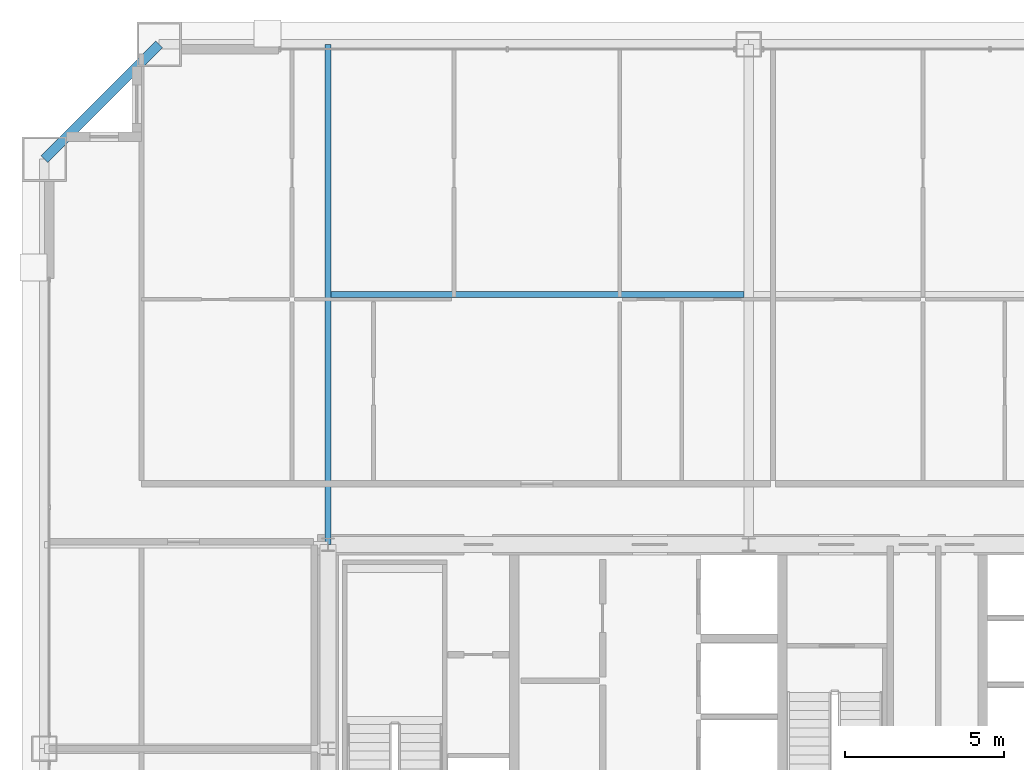
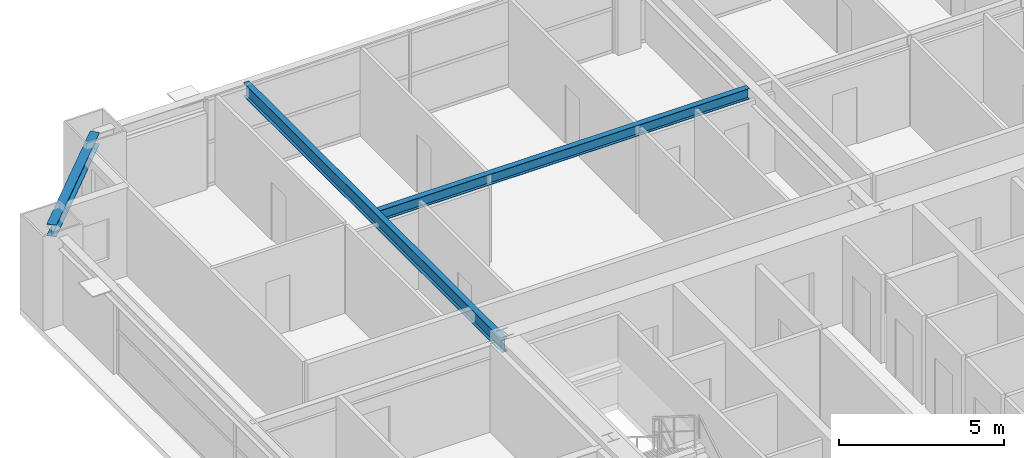
# One storey, part 24 of 38: 3 beams.
"""IFC4 building model written with IfcOpenShell, lengths in metres."""

from ifc_helpers import new_model, si_unit, direction, frame, origin, origin_2d, place, context, subcontext, project, spatial, i_section, extrude, source, transform, mapped, material, material_profile, profile_set, type_object, element, save


model = new_model("IFC4")

# Units and contexts
model_context = context("Model", 3, precision=1e-05, world=origin(), true_north=direction((0.0, 1.0)))
body_context = subcontext(model_context, "Body", "Model", "MODEL_VIEW")
ifc_project = project(units=[si_unit("LENGTHUNIT", "METRE"), si_unit("AREAUNIT", "SQUARE_METRE"), si_unit("VOLUMEUNIT", "CUBIC_METRE"), si_unit("PLANEANGLEUNIT", "RADIAN"), si_unit("MASSUNIT", "GRAM", prefix="KILO"), si_unit("THERMODYNAMICTEMPERATUREUNIT", "KELVIN"), si_unit("POWERUNIT", "WATT")], contexts=[model_context])

# Site, building, storey
site_placement = place(None, origin())
site = spatial("IfcSite", under=ifc_project, at=site_placement, CompositionType="ELEMENT")
building_placement = place(site_placement, origin())
building = spatial("IfcBuilding", under=site, at=building_placement, Name="Yuzanri Waterfront Tower", CompositionType="ELEMENT")
storey_placement = place(building_placement, frame((0.0, 0.0, 195.0)))
storey = spatial("IfcBuildingStorey", under=building, at=storey_placement, Name="L51", CompositionType="ELEMENT", Elevation=195.0)

# Beams
ifc_material_1 = material(Name="Steel Q355B", Category="steel")
ifc_material_profile_1 = material_profile(ifc_material_1, i_section(OverallWidth=0.199951171875, OverallDepth=0.39990234375, WebThickness=0.008056640625, FlangeThickness=0.012939453125, at=origin_2d()), Name="HN 400x200x8x13")
ifc_profile_set_1 = profile_set([ifc_material_profile_1], Name="Steel Q355B")
beam_type_1 = type_object("IfcBeamType", Name="Floor Joist Q355B HN 400x200", PredefinedType="JOIST", material=ifc_profile_set_1)
shared_shape_1 = source(origin(), body_context, "Body", "SweptSolid", [
    extrude(i_section(OverallWidth=0.199951171875, OverallDepth=0.39990234375, WebThickness=0.008056640625, FlangeThickness=0.012939453125, at=origin_2d()), origin(), (0.0, 0.0, 1.0), 12.9501953125),
])
beam_1_placement = place(storey_placement, frame((23.89990234375, 40.050048828125, 3.080078125), z_axis=(1.0, 0.0, 0.0), x_axis=(0.0, 1.0, 0.0)))
element("IfcBeam", 1, at=beam_1_placement, inside=storey, type_object=beam_type_1, Name="L51 North Bay Joist W", PredefinedType="JOIST", context=body_context, shape_type="MappedRepresentation", body=[
    mapped(shared_shape_1, transform((0.0, 0.0, 0.0), scale=1.0)),
])
ifc_material_2 = material(Name="Steel Q355B", Category="steel")
ifc_material_profile_2 = material_profile(ifc_material_2, i_section(OverallWidth=0.300048828125, OverallDepth=0.43994140625, WebThickness=0.010986328125, FlangeThickness=0.01806640625, at=origin_2d()), Name="HM 440x300x11x18")
ifc_profile_set_2 = profile_set([ifc_material_profile_2], Name="Steel Q355B")
beam_type_2 = type_object("IfcBeamType", Name="Perimeter Spandrel Q355B HM 440x300", PredefinedType="SPANDREL", material=ifc_profile_set_2)
shared_shape_2 = source(origin(), body_context, "Body", "SweptSolid", [
    extrude(i_section(OverallWidth=0.300048828125, OverallDepth=0.43994140625, WebThickness=0.010986328125, FlangeThickness=0.01806640625, at=origin_2d()), origin(), (0.0, 0.0, 1.0), 5.091064453125),
])
beam_2_placement = place(storey_placement, frame((18.5, 47.89990234375, 3.06005859375), z_axis=(-0.707130757816, -0.707082803744, 0.0), x_axis=(0.707082803744, -0.707130757816, 0.0)))
element("IfcBeam", 2, at=beam_2_placement, inside=storey, type_object=beam_type_2, Name="L51 Perimeter Spandrel N1-W3", PredefinedType="SPANDREL", context=body_context, shape_type="MappedRepresentation", body=[
    mapped(shared_shape_2, transform((0.0, 0.0, 0.0), scale=1.0)),
])
ifc_material_3 = material(Name="Steel Q355B", Category="steel")
ifc_material_profile_3 = material_profile(ifc_material_3, i_section(OverallWidth=0.199951171875, OverallDepth=0.5, WebThickness=0.010009765625, FlangeThickness=0.01611328125, at=origin_2d()), Name="HN 500x200x10x16")
ifc_profile_set_3 = profile_set([ifc_material_profile_3], Name="Steel Q355B")
beam_type_3 = type_object("IfcBeamType", Name="Secondary Floor Beam Q355B HN 500x200", PredefinedType="BEAM", material=ifc_profile_set_3)
shared_shape_3 = source(origin(), body_context, "Body", "SweptSolid", [
    extrude(i_section(OverallWidth=0.199951171875, OverallDepth=0.5, WebThickness=0.010009765625, FlangeThickness=0.01611328125, at=origin_2d()), origin(), (0.0, 0.0, 1.0), 15.699951171875),
])
beam_3_placement = place(storey_placement, frame((23.800048828125, 32.199951171875, 3.030029296875), z_axis=(0.0, 1.0, 0.0), x_axis=(-1.0, 0.0, 0.0)))
element("IfcBeam", 3, at=beam_3_placement, inside=storey, type_object=beam_type_3, Name="L51 North-West Core Line Beam", PredefinedType="BEAM", context=body_context, shape_type="MappedRepresentation", body=[
    mapped(shared_shape_3, transform((0.0, 0.0, 0.0), scale=1.0)),
])

save(model, "model.ifc")
